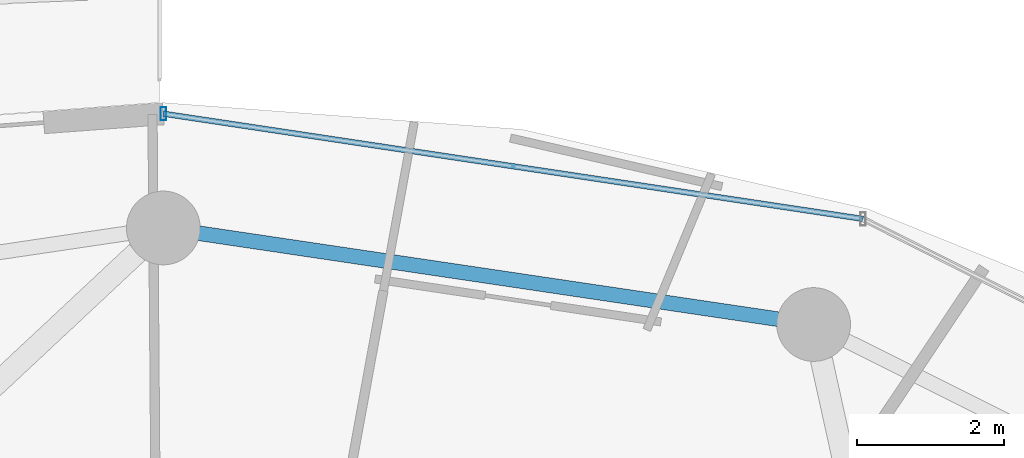
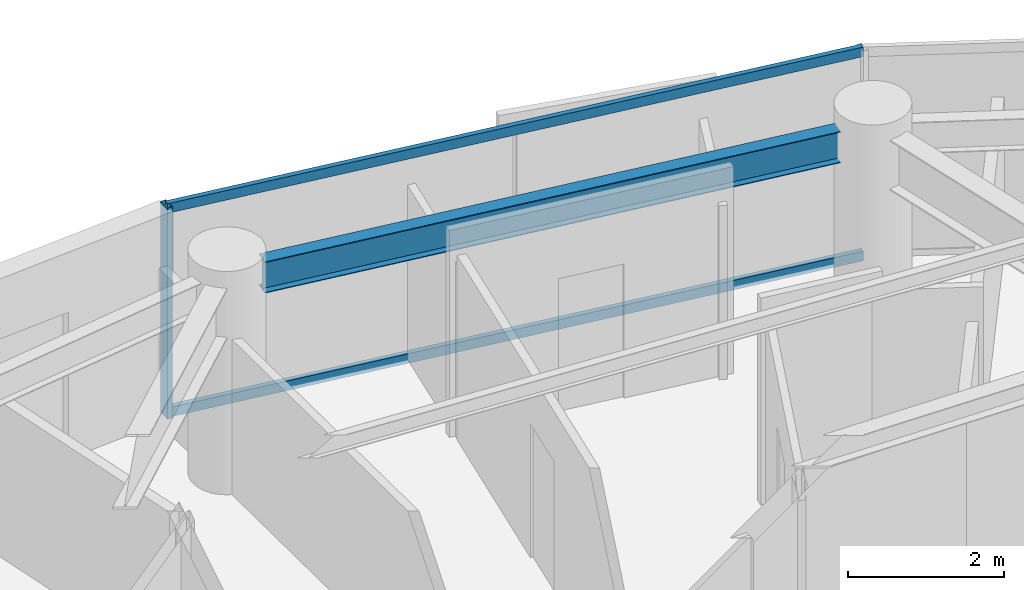
# One storey, part 18 of 30: 3 members, 1 beam, 1 element without a shape of its own.
"""IFC4 building model written with IfcOpenShell, lengths in metres."""

from ifc_helpers import new_model, si_unit, direction, frame, origin, origin_2d, place, context, subcontext, project, spatial, hollow_rectangle, i_section, extrude, material, material_profile, profile_set, type_object, element, aggregate, save


model = new_model("IFC4")

# Units and contexts
model_context = context("Model", 3, precision=1e-05, world=origin(), true_north=direction((0.0, 1.0)))
body_context = subcontext(model_context, "Body", "Model", "MODEL_VIEW")
ifc_project = project(units=[si_unit("LENGTHUNIT", "METRE"), si_unit("AREAUNIT", "SQUARE_METRE"), si_unit("VOLUMEUNIT", "CUBIC_METRE"), si_unit("PLANEANGLEUNIT", "RADIAN"), si_unit("MASSUNIT", "GRAM", prefix="KILO")], contexts=[model_context])

# Site, building, storey
site_placement = place(None, origin())
site = spatial("IfcSite", under=ifc_project, at=site_placement, CompositionType="ELEMENT")
building_placement = place(site_placement, origin())
building = spatial("IfcBuilding", under=site, at=building_placement, Name="Vorneva Point Tower", CompositionType="ELEMENT")
storey_placement = place(building_placement, frame((0.0, 0.0, 153.60009765625)))
storey = spatial("IfcBuildingStorey", under=building, at=storey_placement, Name="L41", CompositionType="ELEMENT", Elevation=153.60009765625)

# Beam
ifc_material_1 = material(Name="Steel S355", Category="steel")
ifc_material_profile_1 = material_profile(ifc_material_1, i_section(OverallWidth=0.199951171875, OverallDepth=0.491943359375, WebThickness=0.0087890625, FlangeThickness=0.011962890625, at=origin_2d()), Name="50B1")
ifc_profile_set_1 = profile_set([ifc_material_profile_1], Name="Steel S355")
beam_type = type_object("IfcBeamType", Name="BM-SPN-50B1", PredefinedType="SPANDREL", material=ifc_profile_set_1)
beam_placement = place(storey_placement, frame((46.34130859375, 41.9619140625, 2.993896484375), z_axis=(-0.989161199046, 0.146833655211, 0.0), x_axis=(-0.146833655211, -0.989161199046, 0.0)))
element("IfcBeam", 1, at=beam_placement, inside=storey, type_object=beam_type, Name="L41 Perimeter Spandrel Ring Beam 04", PredefinedType="SPANDREL", context=body_context, shape_type="SweptSolid", body=[
    extrude(i_section(OverallWidth=0.199951171875, OverallDepth=0.491943359375, WebThickness=0.0087890625, FlangeThickness=0.011962890625, at=origin_2d()), origin(), (0.0, 0.0, 1.0), 7.94775390625),
])

# Curtain wall, members
ifc_material_2 = material(Name="Pale anodised aluminium", Category="aluminium")
curtain_wall_type = type_object("IfcCurtainWallType", Name="CW-RES-SYS", PredefinedType="NOTDEFINED", material=ifc_material_2)
curtain_wall_placement = place(storey_placement, origin())
curtain_wall = element("IfcCurtainWall", 2, at=curtain_wall_placement, inside=storey, type_object=curtain_wall_type, Name="L41 Unitised Curtain Wall CW-L41-R02", PredefinedType="NOTDEFINED")
ifc_material_profile_2 = material_profile(ifc_material_2, hollow_rectangle(XDim=0.074951171875, YDim=0.179931640625, WallThickness=0.00390625, at=origin_2d()), Name="AL-MUL 180x75x4")
ifc_profile_set_2 = profile_set([ifc_material_profile_2], Name="Pale anodised aluminium")
member_type_1 = type_object("IfcMemberType", Name="CW-MUL-180", PredefinedType="MULLION", material=ifc_profile_set_2)
member_1_placement = place(storey_placement, frame((38.0, 44.75, -0.0400390625), z_axis=(0.0, 0.0, 1.0), x_axis=(1.0, 0.0, 0.0)))
member_1 = element("IfcMember", 3, at=member_1_placement, type_object=member_type_1, Name="CW-L41-R02 Mullion 03", PredefinedType="MULLION", context=body_context, shape_type="SweptSolid", body=[
    extrude(hollow_rectangle(XDim=0.074951171875, YDim=0.179931640625, WallThickness=0.00390625, at=origin_2d()), origin(), (0.0, 0.0, 1.0), 3.31005859375),
])
ifc_material_profile_3 = material_profile(ifc_material_2, hollow_rectangle(XDim=0.074951171875, YDim=0.14990234375, WallThickness=0.00390625, at=origin_2d()), Name="AL-TRN 150x75x4")
ifc_profile_set_3 = profile_set([ifc_material_profile_3], Name="Pale anodised aluminium")
member_type_2 = type_object("IfcMemberType", Name="CW-TRN-150", PredefinedType="USERDEFINED", material=ifc_profile_set_3)
member_2_placement = place(storey_placement, frame((47.490478515625, 43.32275390625, 0.02001953125), z_axis=(-0.988880117727, 0.148714870687, 0.0), x_axis=(-0.148714870687, -0.988880117727, 0.0)))
member_2 = element("IfcMember", 4, at=member_2_placement, type_object=member_type_2, Name="CW-L41-R02 Transom 02.1", ObjectType="TRANSOM", PredefinedType="USERDEFINED", context=body_context, shape_type="SweptSolid", body=[
    extrude(hollow_rectangle(XDim=0.074951171875, YDim=0.14990234375, WallThickness=0.00390625, at=origin_2d()), origin(), (0.0, 0.0, 1.0), 9.59716796875),
])
member_3_placement = place(storey_placement, frame((47.490478515625, 43.32275390625, 3.219970703125), z_axis=(-0.988880117727, 0.148714870687, 0.0), x_axis=(-0.148714870687, -0.988880117727, 0.0)))
member_3 = element("IfcMember", 5, at=member_3_placement, type_object=member_type_2, Name="CW-L41-R02 Transom 02.2", ObjectType="TRANSOM", PredefinedType="USERDEFINED", context=body_context, shape_type="SweptSolid", body=[
    extrude(hollow_rectangle(XDim=0.074951171875, YDim=0.14990234375, WallThickness=0.00390625, at=origin_2d()), origin(), (0.0, 0.0, 1.0), 9.59716796875),
])
aggregate(curtain_wall, [member_1, member_2, member_3])

save(model, "model.ifc")
